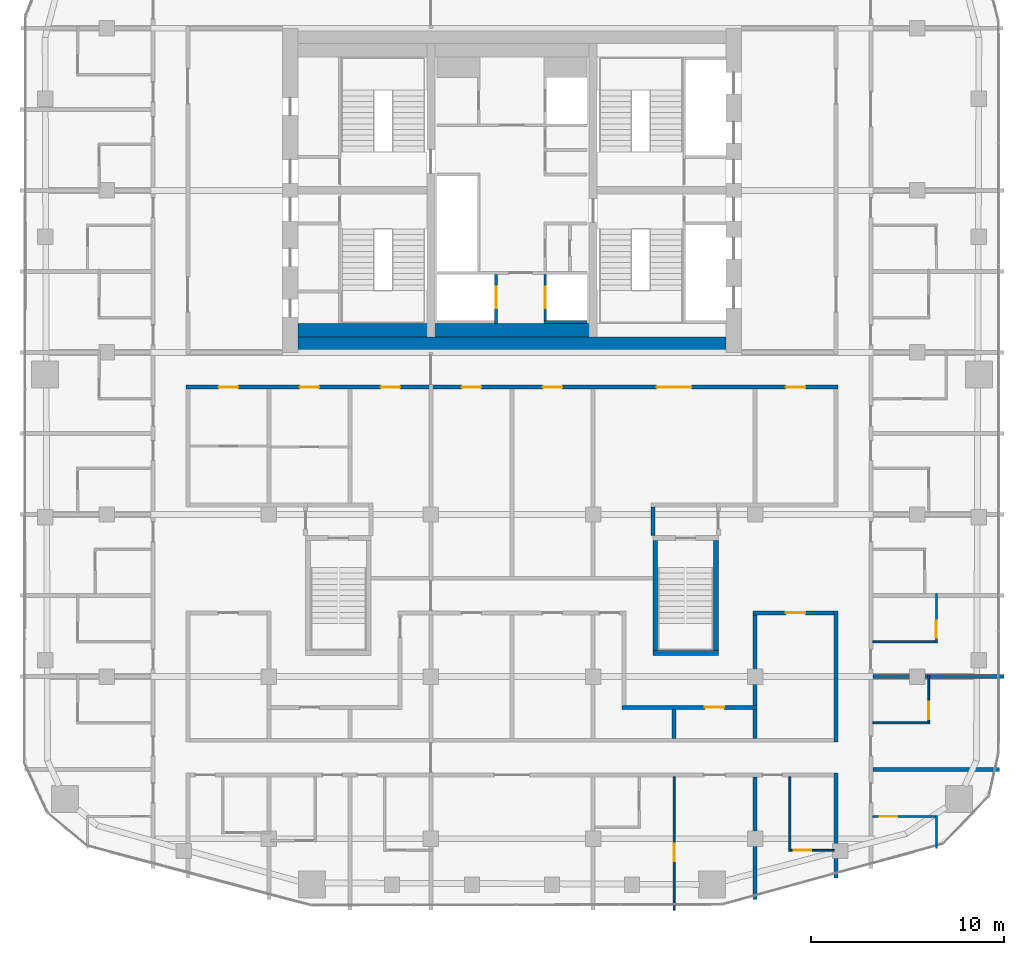
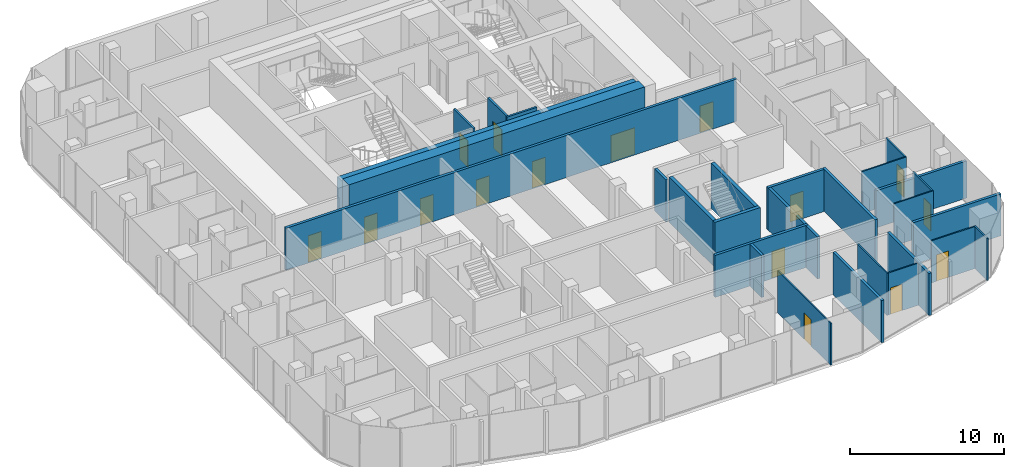
# One storey, part 16 of 22: 29 walls, 16 doors, 16 openings.
"""IFC4 building model written with IfcOpenShell, lengths in metres."""

from ifc_helpers import new_model, si_unit, direction, frame, frame_2d, origin, place, context, subcontext, project, spatial, rectangle, extrude, material, layer, layer_set, type_object, element, fill, save


model = new_model("IFC4")

# Units and contexts
model_context = context("Model", 3, precision=1e-05, world=origin(), true_north=direction((0.0, 1.0)))
body_context = subcontext(model_context, "Body", "Model", "MODEL_VIEW")
ifc_project = project(units=[si_unit("LENGTHUNIT", "METRE"), si_unit("AREAUNIT", "SQUARE_METRE"), si_unit("VOLUMEUNIT", "CUBIC_METRE"), si_unit("PLANEANGLEUNIT", "RADIAN"), si_unit("MASSUNIT", "GRAM", prefix="KILO")], contexts=[model_context])

# Site, building, storey
site_placement = place(None, origin())
site = spatial("IfcSite", under=ifc_project, at=site_placement, CompositionType="ELEMENT")
building_placement = place(site_placement, origin())
building = spatial("IfcBuilding", under=site, at=building_placement, Name="Marenta Gate Hotel Tower", CompositionType="ELEMENT")
storey_placement = place(building_placement, frame((0.0, 0.0, 194.89990234375)))
storey = spatial("IfcBuildingStorey", under=building, at=storey_placement, Name="L44", CompositionType="ELEMENT", Elevation=194.89990234375)

# Wall
ifc_material_1 = material(Name="Concrete C40", Category="concrete")
ifc_layer_1 = layer(ifc_material_1, 0.699951171875)
ifc_layer_set_1 = layer_set([ifc_layer_1], Name="Concrete C40")
wall_type_1 = type_object("IfcWallType", Name="Core lining wall 700 REI 180", PredefinedType="PARTITIONING", material=ifc_layer_set_1)
wall_1_placement = place(storey_placement, frame((-11.10009765625, 1.14990234375, 0.0), z_axis=(0.0, 0.0, 1.0), x_axis=(1.0, 0.0, 0.0)))
element("IfcWall", 1, at=wall_1_placement, inside=storey, type_object=wall_type_1, Name="L44-CP-LN-S", PredefinedType="PARTITIONING", context=body_context, shape_type="SweptSolid", body=[
    extrude(rectangle(XDim=22.2001953125, YDim=0.699951171875, at=frame_2d((11.10009765625, 0.0))), origin(), (0.0, 0.0, 1.0), 3.340087890625),
])

# Wall, opening, door
ifc_material_2 = material(Name="Concrete C40", Category="concrete")
ifc_layer_2 = layer(ifc_material_2, 0.14990234375)
ifc_layer_set_2 = layer_set([ifc_layer_2], Name="Concrete C40")
wall_type_2 = type_object("IfcWallType", Name="Core shaft wall 150 REI 180", PredefinedType="SHEAR", material=ifc_layer_set_2)
wall_2_placement = place(storey_placement, frame((-0.824951171875, 1.5, 0.0), z_axis=(0.0, 0.0, 1.0), x_axis=(0.0, 1.0, 0.0)))
wall_2 = element("IfcWall", 2, at=wall_2_placement, inside=storey, type_object=wall_type_2, Name="L44-SHF-CW-W-ff", PredefinedType="SHEAR", context=body_context, shape_type="SweptSolid", body=[
    extrude(rectangle(XDim=2.550048828125, YDim=0.14990234375, at=frame_2d((1.27490234375, 0.0))), origin(), (0.0, 0.0, 1.0), 3.60009765625),
])
opening_1_placement = place(wall_2_placement, frame((0.800048828125, 0.0, 0.0)))
opening_1 = element("IfcOpeningElement", 3, at=opening_1_placement, cuts=wall_2, Name="Opening LD-FF1", PredefinedType="OPENING", context=body_context, shape_type="SweptSolid", body=[
    extrude(rectangle(XDim=1.10009765625, YDim=2.10009765625, at=frame_2d((0.550048828125, 1.050048828125))), frame((0.0, 0.074951171875, 0.0), z_axis=(0.0, -1.0, 0.0), x_axis=(1.0, 0.0, 0.0)), (0.0, 0.0, 1.0), 0.14990234375),
])
ifc_material_3 = material(Name="Steel", Category="steel")
door_type_1 = type_object("IfcDoorType", Name="Core lift landing door 1100x2100 E 60", OperationType="SLIDING_TO_LEFT", PredefinedType="DOOR", material=ifc_material_3)
door_1_placement = place(opening_1_placement, origin())
door_1 = element("IfcDoor", 4, at=door_1_placement, inside=storey, type_object=door_type_1, Name="LD-FF1", OperationType="SLIDING_TO_LEFT", OverallHeight=2.10009765625, OverallWidth=1.10009765625, PredefinedType="DOOR", context=body_context, shape_type="SweptSolid", body=[
    extrude(rectangle(XDim=1.10009765625, YDim=2.10009765625, at=frame_2d((0.550048828125, 1.050048828125))), frame((0.0, 0.02490234375, 0.0), z_axis=(0.0, -1.0, 0.0), x_axis=(1.0, 0.0, 0.0)), (0.0, 0.0, 1.0), 0.050048828125),
])
fill(opening_1, door_1)

wall_3_placement = place(storey_placement, frame((1.72509765625, 1.64990234375, 0.0), z_axis=(0.0, 0.0, 1.0), x_axis=(0.0, 1.0, 0.0)))
wall_3 = element("IfcWall", 5, at=wall_3_placement, inside=storey, type_object=wall_type_2, Name="L44-SHF-CE-S-ls", PredefinedType="SHEAR", context=body_context, shape_type="SweptSolid", body=[
    extrude(rectangle(XDim=2.400146484375, YDim=0.14990234375, at=frame_2d((1.2001953125, 0.0))), origin(), (0.0, 0.0, 1.0), 3.60009765625),
])
opening_2_placement = place(wall_3_placement, frame((0.64990234375, 0.0, 0.0)))
opening_2 = element("IfcOpeningElement", 6, at=opening_2_placement, cuts=wall_3, Name="Opening LD-SV1", PredefinedType="OPENING", context=body_context, shape_type="SweptSolid", body=[
    extrude(rectangle(XDim=1.10009765625, YDim=2.10009765625, at=frame_2d((0.550048828125, 1.050048828125))), frame((0.0, 0.074951171875, 0.0), z_axis=(0.0, -1.0, 0.0), x_axis=(1.0, 0.0, 0.0)), (0.0, 0.0, 1.0), 0.14990234375),
])
door_2_placement = place(opening_2_placement, origin())
door_2 = element("IfcDoor", 7, at=door_2_placement, inside=storey, type_object=door_type_1, Name="LD-SV1", OperationType="SLIDING_TO_LEFT", OverallHeight=2.10009765625, OverallWidth=1.10009765625, PredefinedType="DOOR", context=body_context, shape_type="SweptSolid", body=[
    extrude(rectangle(XDim=1.10009765625, YDim=2.10009765625, at=frame_2d((0.550048828125, 1.050048828125))), frame((0.0, 0.02490234375, 0.0), z_axis=(0.0, -1.0, 0.0), x_axis=(1.0, 0.0, 0.0)), (0.0, 0.0, 1.0), 0.050048828125),
])
fill(opening_2, door_2)

# Walls
wall_4_placement = place(storey_placement, frame((1.64990234375, 1.574951171875, 0.0), z_axis=(0.0, 0.0, 1.0), x_axis=(1.0, 0.0, 0.0)))
element("IfcWall", 8, at=wall_4_placement, inside=storey, type_object=wall_type_2, Name="L44-SHF-CE-S-bot", PredefinedType="SHEAR", context=body_context, shape_type="SweptSolid", body=[
    extrude(rectangle(XDim=2.25, YDim=0.14990234375, at=frame_2d((1.125, 0.0))), origin(), (0.0, 0.0, 1.0), 3.60009765625),
])
ifc_material_4 = material(Name="Concrete C60", Category="concrete")
ifc_layer_3 = layer(ifc_material_4, 0.800048828125)
ifc_layer_set_3 = layer_set([ifc_layer_3], Name="Concrete C60")
wall_type_3 = type_object("IfcWallType", Name="Core wall 800 C60", PredefinedType="SHEAR", material=ifc_layer_set_3)
wall_5_placement = place(storey_placement, frame((-11.10009765625, 0.39990234375, 0.0), z_axis=(0.0, 0.0, 1.0), x_axis=(1.0, 0.0, 0.0)))
element("IfcWall", 9, at=wall_5_placement, inside=storey, type_object=wall_type_3, Name="L44-CORE-S", PredefinedType="SHEAR", context=body_context, shape_type="SweptSolid", body=[
    extrude(rectangle(XDim=22.2001953125, YDim=0.800048828125, at=frame_2d((11.10009765625, 0.0))), origin(), (0.0, 0.0, 1.0), 3.60009765625),
])
ifc_material_5 = material(Name="Concrete C40", Category="concrete")
ifc_layer_4 = layer(ifc_material_5, 0.25)
ifc_layer_set_4 = layer_set([ifc_layer_4], Name="Concrete C40")
wall_type_4 = type_object("IfcWallType", Name="Remote stair enclosure wall 250 REI 180", PredefinedType="SHEAR", material=ifc_layer_set_4)
wall_6_placement = place(storey_placement, frame((7.300048828125, -15.574951171875, 0.10009765625), z_axis=(0.0, 0.0, 1.0), x_axis=(1.0, 0.0, 0.0)))
element("IfcWall", 10, at=wall_6_placement, inside=storey, type_object=wall_type_4, Name="L44-RS-Z3-2-W1", PredefinedType="SHEAR", context=body_context, shape_type="SweptSolid", body=[
    extrude(rectangle(XDim=3.39990234375, YDim=0.25, at=frame_2d((1.699951171875, 0.0))), origin(), (0.0, 0.0, 1.0), 3.60009765625),
])
for number, where, z_axis, x_axis, name in (
    (11, (7.425048828125, -15.449951171875, 0.10009765625), (0.0, 0.0, 1.0), (0.0, 1.0, 0.0), "L44-RS-Z3-2-W3"),
    (12, (10.574951171875, -15.449951171875, 0.10009765625), (0.0, 0.0, 1.0), (0.0, 1.0, 0.0), "L44-RS-Z3-2-W4"),
):
    element("IfcWall", number, at=place(storey_placement, frame(where, z_axis=z_axis, x_axis=x_axis)), inside=storey, type_object=wall_type_4, Name=name, PredefinedType="SHEAR", context=body_context, shape_type="SweptSolid", body=[
        extrude(rectangle(XDim=5.699951171875, YDim=0.25, at=frame_2d((2.85009765625, 0.0))), origin(), (0.0, 0.0, 1.0), 3.60009765625),
    ])

# Wall, openings, doors
ifc_material_6 = material(Name="Concrete blockwork", Category="masonry")
ifc_layer_5 = layer(ifc_material_6, 0.199951171875)
ifc_layer_set_5 = layer_set([ifc_layer_5], Name="Concrete blockwork")
wall_type_5 = type_object("IfcWallType", Name="Room corridor wall 200 EI 120", PredefinedType="PARTITIONING", material=ifc_layer_set_5)
wall_7_placement = place(storey_placement, frame((-16.89990234375, -1.800048828125, 0.0), z_axis=(0.0, 0.0, 1.0), x_axis=(1.0, 0.0, 0.0)))
wall_7 = element("IfcWall", 13, at=wall_7_placement, inside=storey, type_object=wall_type_5, Name="L44-PTN-W072", PredefinedType="PARTITIONING", context=body_context, shape_type="SweptSolid", body=[
    extrude(rectangle(XDim=33.7998046875, YDim=0.199951171875, at=frame_2d((16.89990234375, 0.0))), origin(), (0.0, 0.0, 1.0), 3.340087890625),
])
opening_3_placement = place(wall_7_placement, frame((1.699951171875, 0.0, 0.0)))
opening_3 = element("IfcOpeningElement", 14, at=opening_3_placement, cuts=wall_7, Name="Opening G15-01", PredefinedType="OPENING", context=body_context, shape_type="SweptSolid", body=[
    extrude(rectangle(XDim=1.0, YDim=2.10009765625, at=frame_2d((0.5, 1.050048828125))), frame((0.0, 0.10009765625, 0.0), z_axis=(0.0, -1.0, 0.0), x_axis=(1.0, 0.0, 0.0)), (0.0, 0.0, 1.0), 0.199951171875),
])
opening_4_placement = place(wall_7_placement, frame((5.89990234375, 0.0, 0.0)))
opening_4 = element("IfcOpeningElement", 15, at=opening_4_placement, cuts=wall_7, Name="Opening G15-03", PredefinedType="OPENING", context=body_context, shape_type="SweptSolid", body=[
    extrude(rectangle(XDim=1.0, YDim=2.10009765625, at=frame_2d((0.5, 1.050048828125))), frame((0.0, 0.10009765625, 0.0), z_axis=(0.0, -1.0, 0.0), x_axis=(1.0, 0.0, 0.0)), (0.0, 0.0, 1.0), 0.199951171875),
])
opening_5_placement = place(wall_7_placement, frame((10.10009765625, 0.0, 0.0)))
opening_5 = element("IfcOpeningElement", 16, at=opening_5_placement, cuts=wall_7, Name="Opening G15-05", PredefinedType="OPENING", context=body_context, shape_type="SweptSolid", body=[
    extrude(rectangle(XDim=1.0, YDim=2.10009765625, at=frame_2d((0.5, 1.050048828125))), frame((0.0, 0.10009765625, 0.0), z_axis=(0.0, -1.0, 0.0), x_axis=(1.0, 0.0, 0.0)), (0.0, 0.0, 1.0), 0.199951171875),
])
opening_6_placement = place(wall_7_placement, frame((14.300048828125, 0.0, 0.0)))
opening_6 = element("IfcOpeningElement", 17, at=opening_6_placement, cuts=wall_7, Name="Opening G15-06", PredefinedType="OPENING", context=body_context, shape_type="SweptSolid", body=[
    extrude(rectangle(XDim=1.0, YDim=2.10009765625, at=frame_2d((0.5, 1.050048828125))), frame((0.0, 0.10009765625, 0.0), z_axis=(0.0, -1.0, 0.0), x_axis=(1.0, 0.0, 0.0)), (0.0, 0.0, 1.0), 0.199951171875),
])
opening_7_placement = place(wall_7_placement, frame((18.5, 0.0, 0.0)))
opening_7 = element("IfcOpeningElement", 18, at=opening_7_placement, cuts=wall_7, Name="Opening G15-07", PredefinedType="OPENING", context=body_context, shape_type="SweptSolid", body=[
    extrude(rectangle(XDim=1.0, YDim=2.10009765625, at=frame_2d((0.5, 1.050048828125))), frame((0.0, 0.10009765625, 0.0), z_axis=(0.0, -1.0, 0.0), x_axis=(1.0, 0.0, 0.0)), (0.0, 0.0, 1.0), 0.199951171875),
])
opening_8_placement = place(wall_7_placement, frame((24.39990234375, 0.0, 0.0)))
opening_8 = element("IfcOpeningElement", 19, at=opening_8_placement, cuts=wall_7, Name="Opening G15-08", PredefinedType="OPENING", context=body_context, shape_type="SweptSolid", body=[
    extrude(rectangle(XDim=1.800048828125, YDim=2.10009765625, at=frame_2d((0.89990234375, 1.050048828125))), frame((0.0, 0.10009765625, 0.0), z_axis=(0.0, -1.0, 0.0), x_axis=(1.0, 0.0, 0.0)), (0.0, 0.0, 1.0), 0.199951171875),
])
opening_9_placement = place(wall_7_placement, frame((31.10009765625, 0.0, 0.0)))
opening_9 = element("IfcOpeningElement", 20, at=opening_9_placement, cuts=wall_7, Name="Opening G15-09", PredefinedType="OPENING", context=body_context, shape_type="SweptSolid", body=[
    extrude(rectangle(XDim=1.0, YDim=2.10009765625, at=frame_2d((0.5, 1.050048828125))), frame((0.0, 0.10009765625, 0.0), z_axis=(0.0, -1.0, 0.0), x_axis=(1.0, 0.0, 0.0)), (0.0, 0.0, 1.0), 0.199951171875),
])
ifc_material_7 = material(Name="Timber door leaf", Category="wood")
door_type_2 = type_object("IfcDoorType", Name="Room amenity door 1000x2100 EI 60", OperationType="NOTDEFINED", PredefinedType="DOOR", material=ifc_material_7)
door_3_placement = place(opening_5_placement, origin())
door_3 = element("IfcDoor", 21, at=door_3_placement, inside=storey, type_object=door_type_2, Name="L44-PD-D005", OperationType="SINGLE_SWING_RIGHT", OverallHeight=2.10009765625, OverallWidth=1.0, PredefinedType="DOOR", context=body_context, shape_type="SweptSolid", body=[
    extrude(rectangle(XDim=1.0, YDim=2.10009765625, at=frame_2d((0.5, 1.050048828125))), frame((0.0, 0.02490234375, 0.0), z_axis=(0.0, -1.0, 0.0), x_axis=(1.0, 0.0, 0.0)), (0.0, 0.0, 1.0), 0.050048828125),
])
fill(opening_5, door_3)
door_4_placement = place(opening_6_placement, origin())
door_4 = element("IfcDoor", 22, at=door_4_placement, inside=storey, type_object=door_type_2, Name="L44-PD-D006", OperationType="SINGLE_SWING_LEFT", OverallHeight=2.10009765625, OverallWidth=1.0, PredefinedType="DOOR", context=body_context, shape_type="SweptSolid", body=[
    extrude(rectangle(XDim=1.0, YDim=2.10009765625, at=frame_2d((0.5, 1.050048828125))), frame((0.0, 0.02490234375, 0.0), z_axis=(0.0, -1.0, 0.0), x_axis=(1.0, 0.0, 0.0)), (0.0, 0.0, 1.0), 0.050048828125),
])
fill(opening_6, door_4)
door_5_placement = place(opening_7_placement, origin())
door_5 = element("IfcDoor", 23, at=door_5_placement, inside=storey, type_object=door_type_2, Name="L44-PD-D007", OperationType="SINGLE_SWING_RIGHT", OverallHeight=2.10009765625, OverallWidth=1.0, PredefinedType="DOOR", context=body_context, shape_type="SweptSolid", body=[
    extrude(rectangle(XDim=1.0, YDim=2.10009765625, at=frame_2d((0.5, 1.050048828125))), frame((0.0, 0.02490234375, 0.0), z_axis=(0.0, -1.0, 0.0), x_axis=(1.0, 0.0, 0.0)), (0.0, 0.0, 1.0), 0.050048828125),
])
fill(opening_7, door_5)
door_6_placement = place(opening_9_placement, origin())
door_6 = element("IfcDoor", 24, at=door_6_placement, inside=storey, type_object=door_type_2, Name="L44-PD-D009", OperationType="SINGLE_SWING_RIGHT", OverallHeight=2.10009765625, OverallWidth=1.0, PredefinedType="DOOR", context=body_context, shape_type="SweptSolid", body=[
    extrude(rectangle(XDim=1.0, YDim=2.10009765625, at=frame_2d((0.5, 1.050048828125))), frame((0.0, 0.02490234375, 0.0), z_axis=(0.0, -1.0, 0.0), x_axis=(1.0, 0.0, 0.0)), (0.0, 0.0, 1.0), 0.050048828125),
])
fill(opening_9, door_6)
ifc_material_8 = material(Name="Timber door leaf", Category="wood")
door_type_3 = type_object("IfcDoorType", Name="Room amenity door 1800x2100 EI 60", OperationType="DOUBLE_DOOR_SINGLE_SWING", PredefinedType="DOOR", material=ifc_material_8)
door_7_placement = place(opening_8_placement, origin())
door_7 = element("IfcDoor", 25, at=door_7_placement, inside=storey, type_object=door_type_3, Name="L44-PD-D008", OperationType="DOUBLE_DOOR_SINGLE_SWING", OverallHeight=2.10009765625, OverallWidth=1.800048828125, PredefinedType="DOOR", context=body_context, shape_type="SweptSolid", body=[
    extrude(rectangle(XDim=1.800048828125, YDim=2.10009765625, at=frame_2d((0.89990234375, 1.050048828125))), frame((0.0, 0.02490234375, 0.0), z_axis=(0.0, -1.0, 0.0), x_axis=(1.0, 0.0, 0.0)), (0.0, 0.0, 1.0), 0.050048828125),
])
fill(opening_8, door_7)
ifc_material_9 = material(Name="Hollow steel door set", Category="steel")
door_type_4 = type_object("IfcDoorType", Name="Room service door 1000x2100 EI 60", OperationType="NOTDEFINED", PredefinedType="DOOR", material=ifc_material_9)
door_8_placement = place(opening_3_placement, origin())
door_8 = element("IfcDoor", 26, at=door_8_placement, inside=storey, type_object=door_type_4, Name="L44-PD-D001", OperationType="SINGLE_SWING_LEFT", OverallHeight=2.10009765625, OverallWidth=1.0, PredefinedType="DOOR", context=body_context, shape_type="SweptSolid", body=[
    extrude(rectangle(XDim=1.0, YDim=2.10009765625, at=frame_2d((0.5, 1.050048828125))), frame((0.0, 0.02490234375, 0.0), z_axis=(0.0, -1.0, 0.0), x_axis=(1.0, 0.0, 0.0)), (0.0, 0.0, 1.0), 0.050048828125),
])
fill(opening_3, door_8)
door_9_placement = place(opening_4_placement, origin())
door_9 = element("IfcDoor", 27, at=door_9_placement, inside=storey, type_object=door_type_4, Name="L44-PD-D003", OperationType="SINGLE_SWING_LEFT", OverallHeight=2.10009765625, OverallWidth=1.0, PredefinedType="DOOR", context=body_context, shape_type="SweptSolid", body=[
    extrude(rectangle(XDim=1.0, YDim=2.10009765625, at=frame_2d((0.5, 1.050048828125))), frame((0.0, 0.02490234375, 0.0), z_axis=(0.0, -1.0, 0.0), x_axis=(1.0, 0.0, 0.0)), (0.0, 0.0, 1.0), 0.050048828125),
])
fill(opening_4, door_9)

# Wall, opening, door
ifc_material_10 = material(Name="Gypsum board on steel stud", Category="steel")
ifc_layer_6 = layer(ifc_material_10, 0.199951171875)
ifc_layer_set_6 = layer_set([ifc_layer_6], Name="Gypsum board on steel stud")
wall_type_6 = type_object("IfcWallType", Name="Room corridor wall 200 EI 60", PredefinedType="PARTITIONING", material=ifc_layer_set_6)
wall_8_placement = place(storey_placement, frame((5.699951171875, -18.39990234375, 0.0), z_axis=(0.0, 0.0, 1.0), x_axis=(1.0, 0.0, 0.0)))
wall_8 = element("IfcWall", 28, at=wall_8_placement, inside=storey, type_object=wall_type_6, Name="L44-PTN-W025", PredefinedType="PARTITIONING", context=body_context, shape_type="SweptSolid", body=[
    extrude(rectangle(XDim=7.0, YDim=0.199951171875, at=frame_2d((3.5, 0.0))), origin(), (0.0, 0.0, 1.0), 3.340087890625),
])
opening_10_placement = place(wall_8_placement, frame((4.300048828125, 0.0, 0.0)))
opening_10 = element("IfcOpeningElement", 29, at=opening_10_placement, cuts=wall_8, Name="Opening G15-16", PredefinedType="OPENING", context=body_context, shape_type="SweptSolid", body=[
    extrude(rectangle(XDim=1.0, YDim=2.10009765625, at=frame_2d((0.5, 1.050048828125))), frame((0.0, 0.10009765625, 0.0), z_axis=(0.0, -1.0, 0.0), x_axis=(1.0, 0.0, 0.0)), (0.0, 0.0, 1.0), 0.199951171875),
])
ifc_material_11 = material(Name="Timber door leaf", Category="wood")
door_type_5 = type_object("IfcDoorType", Name="Room amenity door 1000x2100 EI 30", OperationType="NOTDEFINED", PredefinedType="DOOR", material=ifc_material_11)
door_10_placement = place(opening_10_placement, origin())
door_10 = element("IfcDoor", 30, at=door_10_placement, inside=storey, type_object=door_type_5, Name="L44-PD-D016", OperationType="SINGLE_SWING_LEFT", OverallHeight=2.10009765625, OverallWidth=1.0, PredefinedType="DOOR", context=body_context, shape_type="SweptSolid", body=[
    extrude(rectangle(XDim=1.0, YDim=2.10009765625, at=frame_2d((0.5, 1.050048828125))), frame((0.0, 0.02490234375, 0.0), z_axis=(0.0, -1.0, 0.0), x_axis=(1.0, 0.0, 0.0)), (0.0, 0.0, 1.0), 0.050048828125),
])
fill(opening_10, door_10)

# Walls
wall_9_placement = place(storey_placement, frame((16.800048828125, -27.22900390625, 0.0), z_axis=(0.0, 0.0, 1.0), x_axis=(0.0, 1.0, 0.0)))
element("IfcWall", 31, at=wall_9_placement, inside=storey, type_object=wall_type_6, Name="L44-PTN-W026", PredefinedType="PARTITIONING", context=body_context, shape_type="SweptSolid", body=[
    extrude(rectangle(XDim=5.428955078125, YDim=0.199951171875, at=frame_2d((2.71435546875, 0.0))), origin(), (0.0, 0.0, 1.0), 3.340087890625),
])
wall_10_placement = place(storey_placement, frame((16.800048828125, -20.199951171875, 0.0), z_axis=(0.0, 0.0, 1.0), x_axis=(0.0, 1.0, 0.0)))
element("IfcWall", 32, at=wall_10_placement, inside=storey, type_object=wall_type_6, Name="L44-PTN-W027", PredefinedType="PARTITIONING", context=body_context, shape_type="SweptSolid", body=[
    extrude(rectangle(XDim=6.800048828125, YDim=0.199951171875, at=frame_2d((3.39990234375, 0.0))), origin(), (0.0, 0.0, 1.0), 3.340087890625),
])

# Wall, opening, door
wall_11_placement = place(storey_placement, frame((12.5, -13.5, 0.0), z_axis=(0.0, 0.0, 1.0), x_axis=(1.0, 0.0, 0.0)))
wall_11 = element("IfcWall", 33, at=wall_11_placement, inside=storey, type_object=wall_type_6, Name="L44-PTN-W037", PredefinedType="PARTITIONING", context=body_context, shape_type="SweptSolid", body=[
    extrude(rectangle(XDim=4.199951171875, YDim=0.199951171875, at=frame_2d((2.10009765625, 0.0))), origin(), (0.0, 0.0, 1.0), 3.340087890625),
])
opening_11_placement = place(wall_11_placement, frame((1.699951171875, 0.0, 0.0)))
opening_11 = element("IfcOpeningElement", 34, at=opening_11_placement, cuts=wall_11, Name="Opening G15-17", PredefinedType="OPENING", context=body_context, shape_type="SweptSolid", body=[
    extrude(rectangle(XDim=1.0, YDim=2.10009765625, at=frame_2d((0.5, 1.050048828125))), frame((0.0, 0.10009765625, 0.0), z_axis=(0.0, -1.0, 0.0), x_axis=(1.0, 0.0, 0.0)), (0.0, 0.0, 1.0), 0.199951171875),
])
door_11_placement = place(opening_11_placement, origin())
door_11 = element("IfcDoor", 35, at=door_11_placement, inside=storey, type_object=door_type_5, Name="L44-PD-D017", OperationType="SINGLE_SWING_LEFT", OverallHeight=2.10009765625, OverallWidth=1.0, PredefinedType="DOOR", context=body_context, shape_type="SweptSolid", body=[
    extrude(rectangle(XDim=1.0, YDim=2.10009765625, at=frame_2d((0.5, 1.050048828125))), frame((0.0, 0.02490234375, 0.0), z_axis=(0.0, -1.0, 0.0), x_axis=(1.0, 0.0, 0.0)), (0.0, 0.0, 1.0), 0.050048828125),
])
fill(opening_11, door_11)

# Wall
wall_12_placement = place(storey_placement, frame((12.60009765625, -18.300048828125, 0.0), z_axis=(0.0, 0.0, 1.0), x_axis=(0.0, 1.0, 0.0)))
element("IfcWall", 36, at=wall_12_placement, inside=storey, type_object=wall_type_6, Name="L44-PTN-W042", PredefinedType="PARTITIONING", context=body_context, shape_type="SweptSolid", body=[
    extrude(rectangle(XDim=4.699951171875, YDim=0.199951171875, at=frame_2d((2.35009765625, 0.0))), origin(), (0.0, 0.0, 1.0), 3.340087890625),
])

# Wall, opening, door
ifc_material_12 = material(Name="Gypsum board on steel stud", Category="steel")
ifc_layer_7 = layer(ifc_material_12, 0.10009765625)
ifc_layer_set_7 = layer_set([ifc_layer_7], Name="Gypsum board on steel stud")
wall_type_7 = type_object("IfcWallType", Name="Room partition 100", PredefinedType="PARTITIONING", material=ifc_layer_set_7)
wall_13_placement = place(storey_placement, frame((14.449951171875, -25.800048828125, 0.0), z_axis=(0.0, 0.0, 1.0), x_axis=(1.0, 0.0, 0.0)))
wall_13 = element("IfcWall", 37, at=wall_13_placement, inside=storey, type_object=wall_type_7, Name="L44-PTN-W002", PredefinedType="PARTITIONING", context=body_context, shape_type="SweptSolid", body=[
    extrude(rectangle(XDim=2.25, YDim=0.10009765625, at=frame_2d((1.125, 0.0))), origin(), (0.0, 0.0, 1.0), 3.340087890625),
])
opening_12_placement = place(wall_13_placement, frame((0.14990234375, 0.0, 0.0)))
opening_12 = element("IfcOpeningElement", 38, at=opening_12_placement, cuts=wall_13, Name="Opening G15-53", PredefinedType="OPENING", context=body_context, shape_type="SweptSolid", body=[
    extrude(rectangle(XDim=0.89990234375, YDim=2.10009765625, at=frame_2d((0.449951171875, 1.050048828125))), frame((0.0, 0.050048828125, 0.0), z_axis=(0.0, -1.0, 0.0), x_axis=(1.0, 0.0, 0.0)), (0.0, 0.0, 1.0), 0.10009765625),
])
ifc_material_13 = material(Name="Timber door leaf", Category="wood")
door_type_6 = type_object("IfcDoorType", Name="Guest bathroom door 900x2100", OperationType="NOTDEFINED", PredefinedType="DOOR", material=ifc_material_13)
door_12_placement = place(opening_12_placement, origin())
door_12 = element("IfcDoor", 39, at=door_12_placement, inside=storey, type_object=door_type_6, Name="L44-PD-D053", OperationType="SINGLE_SWING_LEFT", OverallHeight=2.10009765625, OverallWidth=0.89990234375, PredefinedType="DOOR", context=body_context, shape_type="SweptSolid", body=[
    extrude(rectangle(XDim=0.89990234375, YDim=2.10009765625, at=frame_2d((0.449951171875, 1.050048828125))), frame((0.0, 0.02490234375, 0.0), z_axis=(0.0, -1.0, 0.0), x_axis=(1.0, 0.0, 0.0)), (0.0, 0.0, 1.0), 0.050048828125),
])
fill(opening_12, door_12)

wall_14_placement = place(storey_placement, frame((18.699951171875, -24.051025390625, 0.0), z_axis=(0.0, 0.0, 1.0), x_axis=(1.0, 0.0, 0.0)))
wall_14 = element("IfcWall", 40, at=wall_14_placement, inside=storey, type_object=wall_type_7, Name="L44-PTN-W007", PredefinedType="PARTITIONING", context=body_context, shape_type="SweptSolid", body=[
    extrude(rectangle(XDim=3.25, YDim=0.10009765625, at=frame_2d((1.625, 0.0))), origin(), (0.0, 0.0, 1.0), 3.340087890625),
])
opening_13_placement = place(wall_14_placement, frame((0.3701171875, 0.0, 0.0)))
opening_13 = element("IfcOpeningElement", 41, at=opening_13_placement, cuts=wall_14, Name="Opening G15-19", PredefinedType="OPENING", context=body_context, shape_type="SweptSolid", body=[
    extrude(rectangle(XDim=0.89990234375, YDim=2.10009765625, at=frame_2d((0.449951171875, 1.050048828125))), frame((0.0, 0.050048828125, 0.0), z_axis=(0.0, -1.0, 0.0), x_axis=(1.0, 0.0, 0.0)), (0.0, 0.0, 1.0), 0.10009765625),
])
door_13_placement = place(opening_13_placement, origin())
door_13 = element("IfcDoor", 42, at=door_13_placement, inside=storey, type_object=door_type_6, Name="L44-PD-D019", OperationType="SINGLE_SWING_RIGHT", OverallHeight=2.10009765625, OverallWidth=0.89990234375, PredefinedType="DOOR", context=body_context, shape_type="SweptSolid", body=[
    extrude(rectangle(XDim=0.89990234375, YDim=2.10009765625, at=frame_2d((0.449951171875, 1.050048828125))), frame((0.0, 0.02490234375, 0.0), z_axis=(0.0, -1.0, 0.0), x_axis=(1.0, 0.0, 0.0)), (0.0, 0.0, 1.0), 0.050048828125),
])
fill(opening_13, door_13)

# Wall
wall_15_placement = place(storey_placement, frame((22.0, -25.68505859375, 0.0), z_axis=(0.0, 0.0, 1.0), x_axis=(0.0, 1.0, 0.0)))
element("IfcWall", 43, at=wall_15_placement, inside=storey, type_object=wall_type_7, Name="L44-PTN-W009", PredefinedType="PARTITIONING", context=body_context, shape_type="SweptSolid", body=[
    extrude(rectangle(XDim=1.68408203125, YDim=0.10009765625, at=frame_2d((0.842041015625, 0.0))), origin(), (0.0, 0.0, 1.0), 3.340087890625),
])

# Wall, opening, door
wall_16_placement = place(storey_placement, frame((22.0, -14.949951171875, 0.0), z_axis=(0.0, 0.0, 1.0), x_axis=(0.0, 1.0, 0.0)))
wall_16 = element("IfcWall", 44, at=wall_16_placement, inside=storey, type_object=wall_type_7, Name="L44-PTN-W010", PredefinedType="PARTITIONING", context=body_context, shape_type="SweptSolid", body=[
    extrude(rectangle(XDim=2.449951171875, YDim=0.10009765625, at=frame_2d((1.22509765625, 0.0))), origin(), (0.0, 0.0, 1.0), 3.340087890625),
])
opening_14_placement = place(wall_16_placement, frame((0.14990234375, 0.0, 0.0)))
opening_14 = element("IfcOpeningElement", 45, at=opening_14_placement, cuts=wall_16, Name="Opening G15-23", PredefinedType="OPENING", context=body_context, shape_type="SweptSolid", body=[
    extrude(rectangle(XDim=0.89990234375, YDim=2.10009765625, at=frame_2d((0.449951171875, 1.050048828125))), frame((0.0, 0.050048828125, 0.0), z_axis=(0.0, -1.0, 0.0), x_axis=(1.0, 0.0, 0.0)), (0.0, 0.0, 1.0), 0.10009765625),
])
door_14_placement = place(opening_14_placement, origin())
door_14 = element("IfcDoor", 46, at=door_14_placement, inside=storey, type_object=door_type_6, Name="L44-PD-D023", OperationType="SINGLE_SWING_LEFT", OverallHeight=2.10009765625, OverallWidth=0.89990234375, PredefinedType="DOOR", context=body_context, shape_type="SweptSolid", body=[
    extrude(rectangle(XDim=0.89990234375, YDim=2.10009765625, at=frame_2d((0.449951171875, 1.050048828125))), frame((0.0, 0.02490234375, 0.0), z_axis=(0.0, -1.0, 0.0), x_axis=(1.0, 0.0, 0.0)), (0.0, 0.0, 1.0), 0.050048828125),
])
fill(opening_14, door_14)

wall_17_placement = place(storey_placement, frame((21.60009765625, -19.14990234375, 0.0), z_axis=(0.0, 0.0, 1.0), x_axis=(0.0, 1.0, 0.0)))
wall_17 = element("IfcWall", 47, at=wall_17_placement, inside=storey, type_object=wall_type_7, Name="L44-PTN-W016", PredefinedType="PARTITIONING", context=body_context, shape_type="SweptSolid", body=[
    extrude(rectangle(XDim=2.449951171875, YDim=0.10009765625, at=frame_2d((1.22509765625, 0.0))), origin(), (0.0, 0.0, 1.0), 3.340087890625),
])
opening_15_placement = place(wall_17_placement, frame((0.14990234375, 0.0, 0.0)))
opening_15 = element("IfcOpeningElement", 48, at=opening_15_placement, cuts=wall_17, Name="Opening G15-21", PredefinedType="OPENING", context=body_context, shape_type="SweptSolid", body=[
    extrude(rectangle(XDim=0.89990234375, YDim=2.10009765625, at=frame_2d((0.449951171875, 1.050048828125))), frame((0.0, 0.050048828125, 0.0), z_axis=(0.0, -1.0, 0.0), x_axis=(1.0, 0.0, 0.0)), (0.0, 0.0, 1.0), 0.10009765625),
])
door_15_placement = place(opening_15_placement, origin())
door_15 = element("IfcDoor", 49, at=door_15_placement, inside=storey, type_object=door_type_6, Name="L44-PD-D021", OperationType="SINGLE_SWING_LEFT", OverallHeight=2.10009765625, OverallWidth=0.89990234375, PredefinedType="DOOR", context=body_context, shape_type="SweptSolid", body=[
    extrude(rectangle(XDim=0.89990234375, YDim=2.10009765625, at=frame_2d((0.449951171875, 1.050048828125))), frame((0.0, 0.02490234375, 0.0), z_axis=(0.0, -1.0, 0.0), x_axis=(1.0, 0.0, 0.0)), (0.0, 0.0, 1.0), 0.050048828125),
])
fill(opening_15, door_15)

# Walls
wall_18_placement = place(storey_placement, frame((18.699951171875, -19.199951171875, 0.0), z_axis=(0.0, 0.0, 1.0), x_axis=(1.0, 0.0, 0.0)))
element("IfcWall", 50, at=wall_18_placement, inside=storey, type_object=wall_type_7, Name="L44-PTN-W022", PredefinedType="PARTITIONING", context=body_context, shape_type="SweptSolid", body=[
    extrude(rectangle(XDim=2.949951171875, YDim=0.10009765625, at=frame_2d((1.47509765625, 0.0))), origin(), (0.0, 0.0, 1.0), 3.340087890625),
])
wall_19_placement = place(storey_placement, frame((18.699951171875, -15.0, 0.0), z_axis=(0.0, 0.0, 1.0), x_axis=(1.0, 0.0, 0.0)))
element("IfcWall", 51, at=wall_19_placement, inside=storey, type_object=wall_type_7, Name="L44-PTN-W033", PredefinedType="PARTITIONING", context=body_context, shape_type="SweptSolid", body=[
    extrude(rectangle(XDim=3.35009765625, YDim=0.10009765625, at=frame_2d((1.675048828125, 0.0))), origin(), (0.0, 0.0, 1.0), 3.340087890625),
])
wall_20_placement = place(storey_placement, frame((14.39990234375, -25.85009765625, 0.0), z_axis=(0.0, 0.0, 1.0), x_axis=(0.0, 1.0, 0.0)))
element("IfcWall", 52, at=wall_20_placement, inside=storey, type_object=wall_type_7, Name="L44-PTN-W034", PredefinedType="PARTITIONING", context=body_context, shape_type="SweptSolid", body=[
    extrude(rectangle(XDim=3.85009765625, YDim=0.10009765625, at=frame_2d((1.925048828125, 0.0))), origin(), (0.0, 0.0, 1.0), 3.340087890625),
])

# Wall, opening, door
wall_21_placement = place(storey_placement, frame((8.39990234375, -28.89990234375, 0.0), z_axis=(0.0, 0.0, 1.0), x_axis=(0.0, 1.0, 0.0)))
wall_21 = element("IfcWall", 53, at=wall_21_placement, inside=storey, type_object=wall_type_7, Name="L44-PTN-W049", PredefinedType="PARTITIONING", context=body_context, shape_type="SweptSolid", body=[
    extrude(rectangle(XDim=6.89990234375, YDim=0.10009765625, at=frame_2d((3.449951171875, 0.0))), origin(), (0.0, 0.0, 1.0), 3.340087890625),
])
opening_16_placement = place(wall_21_placement, frame((2.530029296875, 0.0, 0.0)))
opening_16 = element("IfcOpeningElement", 54, at=opening_16_placement, cuts=wall_21, Name="Opening G15-50", PredefinedType="OPENING", context=body_context, shape_type="SweptSolid", body=[
    extrude(rectangle(XDim=0.89990234375, YDim=2.10009765625, at=frame_2d((0.449951171875, 1.050048828125))), frame((0.0, 0.050048828125, 0.0), z_axis=(0.0, -1.0, 0.0), x_axis=(1.0, 0.0, 0.0)), (0.0, 0.0, 1.0), 0.10009765625),
])
ifc_material_14 = material(Name="Timber door leaf", Category="wood")
door_type_7 = type_object("IfcDoorType", Name="Room inner door 900x2100", OperationType="NOTDEFINED", PredefinedType="DOOR", material=ifc_material_14)
door_16_placement = place(opening_16_placement, origin())
door_16 = element("IfcDoor", 55, at=door_16_placement, inside=storey, type_object=door_type_7, Name="L44-PD-D050", OperationType="SINGLE_SWING_LEFT", OverallHeight=2.10009765625, OverallWidth=0.89990234375, PredefinedType="DOOR", context=body_context, shape_type="SweptSolid", body=[
    extrude(rectangle(XDim=0.89990234375, YDim=2.10009765625, at=frame_2d((0.449951171875, 1.050048828125))), frame((0.0, 0.02490234375, 0.0), z_axis=(0.0, -1.0, 0.0), x_axis=(1.0, 0.0, 0.0)), (0.0, 0.0, 1.0), 0.050048828125),
])
fill(opening_16, door_16)

# Walls
ifc_material_15 = material(Name="Gypsum board on steel stud", Category="steel")
ifc_layer_8 = layer(ifc_material_15, 0.199951171875)
ifc_layer_set_8 = layer_set([ifc_layer_8], Name="Gypsum board on steel stud")
wall_type_8 = type_object("IfcWallType", Name="Room party wall 200 EI 60", PredefinedType="PARTITIONING", material=ifc_layer_set_8)
wall_22_placement = place(storey_placement, frame((18.699951171875, -21.625, 0.0), z_axis=(0.0, 0.0, 1.0), x_axis=(1.0, 0.0, 0.0)))
element("IfcWall", 56, at=wall_22_placement, inside=storey, type_object=wall_type_8, Name="L44-PTN-W015", PredefinedType="PARTITIONING", context=body_context, shape_type="SweptSolid", body=[
    extrude(rectangle(XDim=6.575927734375, YDim=0.199951171875, at=frame_2d((3.2880859375, 0.0))), origin(), (0.0, 0.0, 1.0), 3.340087890625),
])
wall_23_placement = place(storey_placement, frame((18.699951171875, -16.800048828125, 0.0), z_axis=(0.0, 0.0, 1.0), x_axis=(1.0, 0.0, 0.0)))
element("IfcWall", 57, at=wall_23_placement, inside=storey, type_object=wall_type_8, Name="L44-PTN-W031", PredefinedType="PARTITIONING", context=body_context, shape_type="SweptSolid", body=[
    extrude(rectangle(XDim=6.800048828125, YDim=0.199951171875, at=frame_2d((3.39990234375, 0.0))), origin(), (0.0, 0.0, 1.0), 2.940185546875),
])
wall_24_placement = place(storey_placement, frame((12.60009765625, -28.343017578125, 0.0), z_axis=(0.0, 0.0, 1.0), x_axis=(0.0, 1.0, 0.0)))
element("IfcWall", 58, at=wall_24_placement, inside=storey, type_object=wall_type_8, Name="L44-PTN-W038", PredefinedType="PARTITIONING", context=body_context, shape_type="SweptSolid", body=[
    extrude(rectangle(XDim=6.343017578125, YDim=0.199951171875, at=frame_2d((3.17138671875, 0.0))), origin(), (0.0, 0.0, 1.0), 3.340087890625),
])
for number, where, z_axis, x_axis, name in (
    (59, (12.60009765625, -20.0, 0.0), (0.0, 0.0, 1.0), (0.0, 1.0, 0.0), "L44-PTN-W039"),
    (60, (8.39990234375, -20.0, 0.0), (0.0, 0.0, 1.0), (0.0, 1.0, 0.0), "L44-PTN-W050"),
):
    element("IfcWall", number, at=place(storey_placement, frame(where, z_axis=z_axis, x_axis=x_axis)), inside=storey, type_object=wall_type_8, Name=name, PredefinedType="PARTITIONING", context=body_context, shape_type="SweptSolid", body=[
        extrude(rectangle(XDim=1.5, YDim=0.199951171875, at=frame_2d((0.75, 0.0))), origin(), (0.0, 0.0, 1.0), 3.340087890625),
    ])
ifc_material_16 = material(Name="Concrete blockwork", Category="masonry")
ifc_layer_9 = layer(ifc_material_16, 0.199951171875)
ifc_layer_set_9 = layer_set([ifc_layer_9], Name="Concrete blockwork")
wall_type_9 = type_object("IfcWallType", Name="Room party wall 200 REI 180", PredefinedType="PARTITIONING", material=ifc_layer_set_9)
wall_25_placement = place(storey_placement, frame((7.300048828125, -9.5, 0.0), z_axis=(0.0, 0.0, 1.0), x_axis=(0.0, 1.0, 0.0)))
element("IfcWall", 61, at=wall_25_placement, inside=storey, type_object=wall_type_9, Name="L44-PTN-W057", PredefinedType="PARTITIONING", context=body_context, shape_type="SweptSolid", body=[
    extrude(rectangle(XDim=1.5, YDim=0.199951171875, at=frame_2d((0.75, 0.0))), origin(), (0.0, 0.0, 1.0), 3.340087890625),
])

save(model, "model.ifc")
